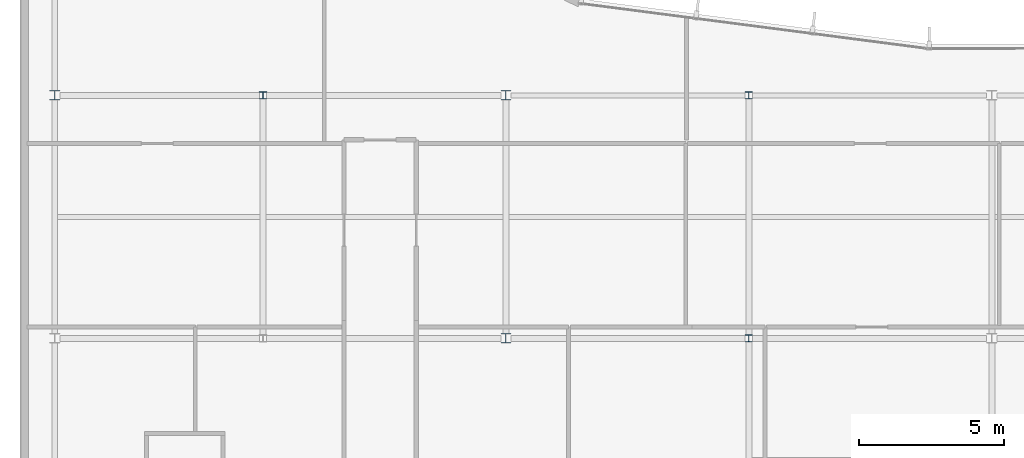
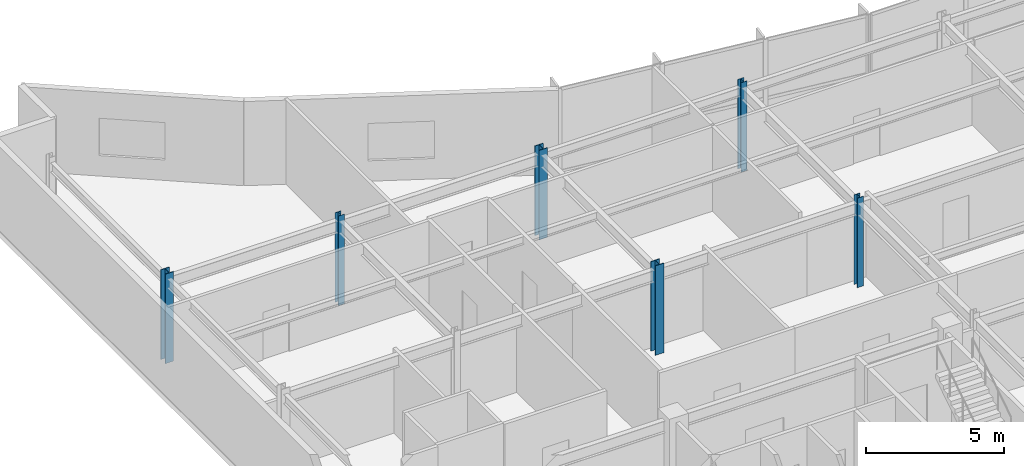
# One storey, part 2 of 15: 6 columns.
"""IFC4 building model written with IfcOpenShell, lengths in metres."""

from ifc_helpers import new_model, si_unit, direction, frame, origin, origin_2d, place, context, subcontext, project, spatial, i_section, extrude, material, material_profile, profile_set, type_object, element, save


model = new_model("IFC4")

# Units and contexts
model_context = context("Model", 3, precision=1e-05, world=origin(), true_north=direction((0.0, 1.0)))
body_context = subcontext(model_context, "Body", "Model", "MODEL_VIEW")
ifc_project = project(units=[si_unit("LENGTHUNIT", "METRE"), si_unit("AREAUNIT", "SQUARE_METRE"), si_unit("VOLUMEUNIT", "CUBIC_METRE"), si_unit("PLANEANGLEUNIT", "RADIAN"), si_unit("MASSUNIT", "GRAM", prefix="KILO")], contexts=[model_context])

# Site, building, storey
site_placement = place(None, origin())
site = spatial("IfcSite", under=ifc_project, at=site_placement, CompositionType="ELEMENT")
building_placement = place(site_placement, origin())
building = spatial("IfcBuilding", under=site, at=building_placement, Name="Varnakote Quay Hospital", CompositionType="ELEMENT")
storey_placement = place(building_placement, frame((0.0, 0.0, 252.60009765625)))
storey = spatial("IfcBuildingStorey", under=building, at=storey_placement, Name="L62", CompositionType="ELEMENT", Elevation=252.60009765625)

# Columns
ifc_material_1 = material(Name="Structural steel AS/NZS 3679.1 Grade 350 L0 (fy 340 MPa)", Category="steel")
ifc_material_profile_1 = material_profile(ifc_material_1, i_section(OverallWidth=0.25390625, OverallDepth=0.25390625, WebThickness=0.008544921875, FlangeThickness=0.01416015625, FilletRadius=0.0126953125, at=origin_2d()), Name="250UC72.9")
ifc_profile_set_1 = profile_set([ifc_material_profile_1], Name="Structural steel AS/NZS 3679.1 Grade 350 L0 (fy 340 MPa)")
column_type_1 = type_object("IfcColumnType", Name="COL-STL-250UC72-9", PredefinedType="COLUMN", material=ifc_profile_set_1)
for number, where, z_axis, x_axis, name in (
    (1, (25.199951171875, 20.39990234375, 0.0), (0.0, 0.0, 1.0), (1.0, 0.0, 0.0), "L62 Structural Column C-25-20"),
    (2, (8.39990234375, 28.800048828125, 0.0), (0.0, 0.0, 1.0), (1.0, 0.0, 0.0), "L62 Structural Column C-8-29"),
    (3, (25.199951171875, 28.800048828125, 0.0), (0.0, 0.0, 1.0), (1.0, 0.0, 0.0), "L62 Structural Column C-25-29"),
):
    element("IfcColumn", number, at=place(storey_placement, frame(where, z_axis=z_axis, x_axis=x_axis)), inside=storey, type_object=column_type_1, Name=name, PredefinedType="COLUMN", context=body_context, shape_type="SweptSolid", body=[
        extrude(i_section(OverallWidth=0.25390625, OverallDepth=0.25390625, WebThickness=0.008544921875, FlangeThickness=0.01416015625, FilletRadius=0.0126953125, at=origin_2d()), origin(), (0.0, 0.0, 1.0), 3.949951171875),
    ])
ifc_material_2 = material(Name="Structural steel AS/NZS 3678 Grade 350 (fy 340 MPa)", Category="steel")
ifc_material_profile_2 = material_profile(ifc_material_2, i_section(OverallWidth=0.35009765625, OverallDepth=0.340087890625, WebThickness=0.01611328125, FlangeThickness=0.028076171875, at=origin_2d()), Name="350WC197")
ifc_profile_set_2 = profile_set([ifc_material_profile_2], Name="Structural steel AS/NZS 3678 Grade 350 (fy 340 MPa)")
column_type_2 = type_object("IfcColumnType", Name="COL-STL-350WC197", PredefinedType="COLUMN", material=ifc_profile_set_2)
for number, where, z_axis, x_axis, name in (
    (4, (16.800048828125, 20.39990234375, 0.0), (0.0, 0.0, 1.0), (1.0, 0.0, 0.0), "L62 Structural Column C-17-20"),
    (5, (1.199951171875, 28.800048828125, 0.0), (0.0, 0.0, 1.0), (1.0, 0.0, 0.0), "L62 Structural Column C-1-29"),
    (6, (16.800048828125, 28.800048828125, 0.0), (0.0, 0.0, 1.0), (1.0, 0.0, 0.0), "L62 Structural Column C-17-29"),
):
    element("IfcColumn", number, at=place(storey_placement, frame(where, z_axis=z_axis, x_axis=x_axis)), inside=storey, type_object=column_type_2, Name=name, PredefinedType="COLUMN", context=body_context, shape_type="SweptSolid", body=[
        extrude(i_section(OverallWidth=0.35009765625, OverallDepth=0.340087890625, WebThickness=0.01611328125, FlangeThickness=0.028076171875, at=origin_2d()), origin(), (0.0, 0.0, 1.0), 3.949951171875),
    ])

save(model, "model.ifc")
